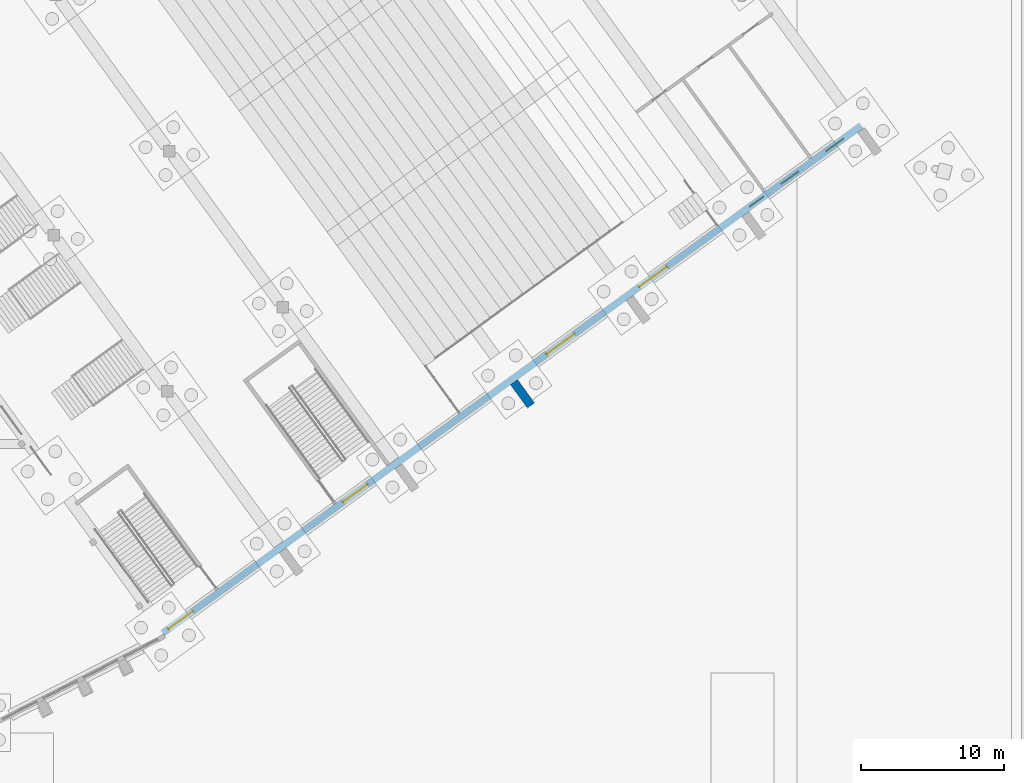
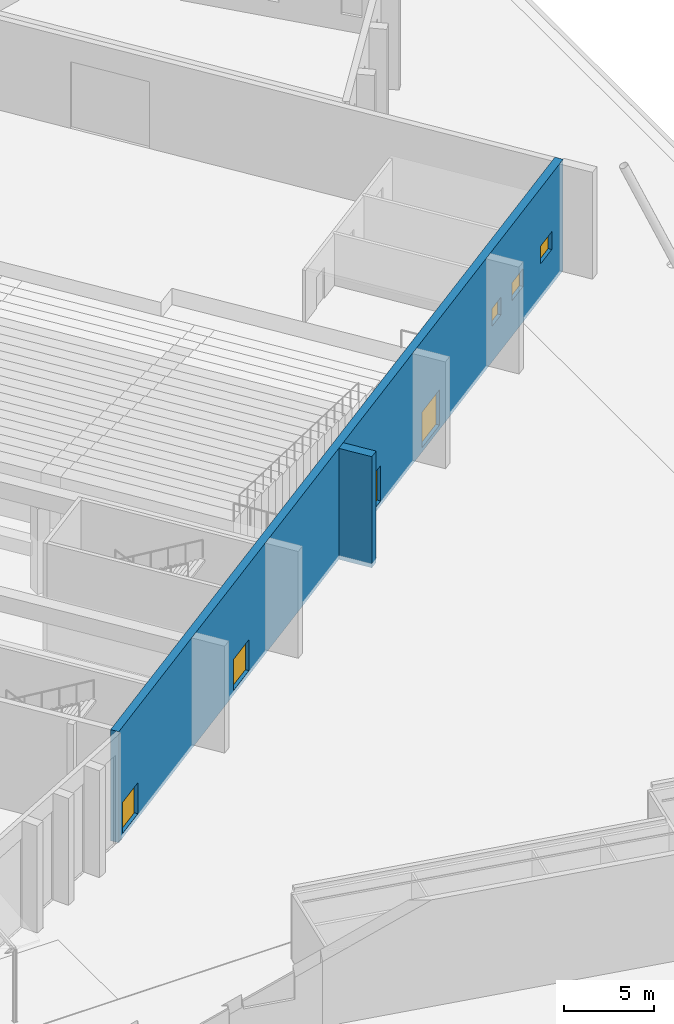
# One storey, part 185 of 239: 4 doors, 3 windows, 2 walls, 7 openings.
"""IFC4 building model written with IfcOpenShell, lengths in metres."""

from ifc_helpers import new_model, si_unit, direction, frame, frame_2d, origin, place, context, subcontext, project, spatial, rectangle, extrude, material, layer, layer_set, type_object, element, fill, save


model = new_model("IFC4")

# Units and contexts
model_context = context("Model", 3, precision=1e-05, world=origin(), true_north=direction((0.0, 1.0)))
body_context = subcontext(model_context, "Body", "Model", "MODEL_VIEW")
ifc_project = project(units=[si_unit("LENGTHUNIT", "METRE"), si_unit("AREAUNIT", "SQUARE_METRE"), si_unit("VOLUMEUNIT", "CUBIC_METRE"), si_unit("PLANEANGLEUNIT", "RADIAN"), si_unit("MASSUNIT", "GRAM", prefix="KILO")], contexts=[model_context])

# Site, building, storey
site_placement = place(None, origin())
site = spatial("IfcSite", under=ifc_project, at=site_placement, CompositionType="ELEMENT")
building_placement = place(site_placement, origin())
building = spatial("IfcBuilding", under=site, at=building_placement, Name="Okhra Congress Centre", CompositionType="ELEMENT")
storey_placement = place(building_placement, origin())
storey = spatial("IfcBuildingStorey", under=building, at=storey_placement, Name="L00", CompositionType="ELEMENT", Elevation=0.0)

# Wall
ifc_material_1 = material(Name="Concrete C35/45", Category="concrete")
ifc_layer_1 = layer(ifc_material_1, 0.60009765625)
ifc_layer_set_1 = layer_set([ifc_layer_1], Name="Buttress fin 600 R 120 C35/45")
wall_type_1 = type_object("IfcWallType", Name="Buttress fin 600 R 120 C35/45", PredefinedType="SOLIDWALL", material=ifc_layer_set_1)
wall_1_placement = place(storey_placement, frame((254.22802734375, 173.540283203125, -0.300048828125), z_axis=(0.0, 0.0, 1.0), x_axis=(0.587743397701, -0.809047401861, 0.0)))
element("IfcWall", 1, at=wall_1_placement, inside=storey, type_object=wall_type_1, Name="Buttress fin S 0 L00", PredefinedType="SOLIDWALL", context=body_context, shape_type="SweptSolid", body=[
    extrude(rectangle(XDim=2.0, YDim=0.60009765625, at=frame_2d((1.0, 0.0))), origin(), (0.0, 0.0, 1.0), 7.5),
])

# Wall, openings, doors, windows
ifc_layer_2 = layer(ifc_material_1, 0.5)
ifc_layer_set_2 = layer_set([ifc_layer_2], Name="RC wall 500 REI 120 C35/45")
wall_type_2 = type_object("IfcWallType", Name="RC wall 500 REI 120 C35/45", PredefinedType="SOLIDWALL", material=ifc_layer_set_2)
wall_2_placement = place(storey_placement, frame((229.648681640625, 155.9912109375, -0.300048828125), z_axis=(0.0, 0.0, 1.0), x_axis=(0.809016008294, 0.587786609514, 0.0)))
wall_2 = element("IfcWall", 2, at=wall_2_placement, inside=storey, type_object=wall_type_2, Name="Buttress wall S L00", PredefinedType="SOLIDWALL", context=body_context, shape_type="SweptSolid", body=[
    extrude(rectangle(XDim=60.400146484375, YDim=0.5, at=frame_2d((30.2001953125, 0.0))), origin(), (0.0, 0.0, 1.0), 7.5),
])
opening_1_placement = place(wall_2_placement, frame((41.199951171875, 0.0, 0.300048828125)))
opening_1 = element("IfcOpeningElement", 3, at=opening_1_placement, cuts=wall_2, Name="Opening L00-105", PredefinedType="OPENING", context=body_context, shape_type="SweptSolid", body=[
    extrude(rectangle(XDim=2.39990234375, YDim=2.39990234375, at=frame_2d((1.199951171875, 1.199951171875))), frame((0.0, 0.260009765625, 0.0), z_axis=(0.0, -1.0, 0.0), x_axis=(1.0, 0.0, 0.0)), (0.0, 0.0, 1.0), 0.52001953125),
])
opening_2_placement = place(wall_2_placement, frame((33.199951171875, 0.0, 0.300048828125)))
opening_2 = element("IfcOpeningElement", 4, at=opening_2_placement, cuts=wall_2, Name="Opening L00-106", PredefinedType="OPENING", context=body_context, shape_type="SweptSolid", body=[
    extrude(rectangle(XDim=2.39990234375, YDim=2.39990234375, at=frame_2d((1.199951171875, 1.199951171875))), frame((0.0, 0.260009765625, 0.0), z_axis=(0.0, -1.0, 0.0), x_axis=(1.0, 0.0, 0.0)), (0.0, 0.0, 1.0), 0.52001953125),
])
opening_3_placement = place(wall_2_placement, frame((0.5, 0.0, 0.300048828125)))
opening_3 = element("IfcOpeningElement", 5, at=opening_3_placement, cuts=wall_2, Name="Opening L00-201", PredefinedType="OPENING", context=body_context, shape_type="SweptSolid", body=[
    extrude(rectangle(XDim=2.10009765625, YDim=2.10009765625, at=frame_2d((1.050048828125, 1.050048828125))), frame((0.0, 0.260009765625, 0.0), z_axis=(0.0, -1.0, 0.0), x_axis=(1.0, 0.0, 0.0)), (0.0, 0.0, 1.0), 0.52001953125),
])
opening_4_placement = place(wall_2_placement, frame((15.60009765625, 0.0, 0.300048828125)))
opening_4 = element("IfcOpeningElement", 6, at=opening_4_placement, cuts=wall_2, Name="Opening L00-203", PredefinedType="OPENING", context=body_context, shape_type="SweptSolid", body=[
    extrude(rectangle(XDim=2.10009765625, YDim=2.10009765625, at=frame_2d((1.050048828125, 1.050048828125))), frame((0.0, 0.260009765625, 0.0), z_axis=(0.0, -1.0, 0.0), x_axis=(1.0, 0.0, 0.0)), (0.0, 0.0, 1.0), 0.52001953125),
])
opening_5_placement = place(wall_2_placement, frame((50.75, 0.0, 2.39990234375)))
opening_5 = element("IfcOpeningElement", 7, at=opening_5_placement, cuts=wall_2, Name="Opening WN35", PredefinedType="OPENING", context=body_context, shape_type="SweptSolid", body=[
    extrude(rectangle(XDim=1.199951171875, YDim=1.199951171875, at=frame_2d((0.60009765625, 0.60009765625))), frame((0.0, 0.260009765625, 0.0), z_axis=(0.0, -1.0, 0.0), x_axis=(1.0, 0.0, 0.0)), (0.0, 0.0, 1.0), 0.52001953125),
])
opening_6_placement = place(wall_2_placement, frame((53.449951171875, 0.0, 2.39990234375)))
opening_6 = element("IfcOpeningElement", 8, at=opening_6_placement, cuts=wall_2, Name="Opening WN36", PredefinedType="OPENING", context=body_context, shape_type="SweptSolid", body=[
    extrude(rectangle(XDim=1.5, YDim=1.199951171875, at=frame_2d((0.75, 0.60009765625))), frame((0.0, 0.260009765625, 0.0), z_axis=(0.0, -1.0, 0.0), x_axis=(1.0, 0.0, 0.0)), (0.0, 0.0, 1.0), 0.52001953125),
])
opening_7_placement = place(wall_2_placement, frame((57.35009765625, 0.0, 2.39990234375)))
opening_7 = element("IfcOpeningElement", 9, at=opening_7_placement, cuts=wall_2, Name="Opening WN36", PredefinedType="OPENING", context=body_context, shape_type="SweptSolid", body=[
    extrude(rectangle(XDim=1.5, YDim=1.199951171875, at=frame_2d((0.75, 0.60009765625))), frame((0.0, 0.260009765625, 0.0), z_axis=(0.0, -1.0, 0.0), x_axis=(1.0, 0.0, 0.0)), (0.0, 0.0, 1.0), 0.52001953125),
])
ifc_material_2 = material(Name="Timber door leaves in steel frame", Category="steel")
door_type_1 = type_object("IfcDoorType", Name="Double swing door 2100x2100", OperationType="NOTDEFINED", PredefinedType="DOOR", material=ifc_material_2)
door_1_placement = place(opening_3_placement, frame((2.10009765625, 0.0, 0.0), z_axis=(0.0, 0.0, 1.0), x_axis=(-1.0, 0.0, 0.0)))
door_1 = element("IfcDoor", 10, at=door_1_placement, inside=storey, type_object=door_type_1, Name="Door L00-201", OperationType="DOUBLE_DOOR_SINGLE_SWING", OverallHeight=2.10009765625, OverallWidth=2.10009765625, PredefinedType="DOOR", context=body_context, shape_type="SweptSolid", body=[
    extrude(rectangle(XDim=2.10009765625, YDim=2.10009765625, at=frame_2d((1.050048828125, 1.050048828125))), frame((0.0, 0.02490234375, 0.0), z_axis=(0.0, -1.0, 0.0), x_axis=(1.0, 0.0, 0.0)), (0.0, 0.0, 1.0), 0.050048828125),
])
fill(opening_3, door_1)
door_2_placement = place(opening_4_placement, frame((2.10009765625, 0.0, 0.0), z_axis=(0.0, 0.0, 1.0), x_axis=(-1.0, 0.0, 0.0)))
door_2 = element("IfcDoor", 11, at=door_2_placement, inside=storey, type_object=door_type_1, Name="Door L00-203", OperationType="DOUBLE_DOOR_SINGLE_SWING", OverallHeight=2.10009765625, OverallWidth=2.10009765625, PredefinedType="DOOR", context=body_context, shape_type="SweptSolid", body=[
    extrude(rectangle(XDim=2.10009765625, YDim=2.10009765625, at=frame_2d((1.050048828125, 1.050048828125))), frame((0.0, 0.02490234375, 0.0), z_axis=(0.0, -1.0, 0.0), x_axis=(1.0, 0.0, 0.0)), (0.0, 0.0, 1.0), 0.050048828125),
])
fill(opening_4, door_2)
door_type_2 = type_object("IfcDoorType", Name="Double swing door 2400x2400", OperationType="NOTDEFINED", PredefinedType="DOOR", material=ifc_material_2)
door_3_placement = place(opening_1_placement, frame((2.39990234375, 0.0, 0.0), z_axis=(0.0, 0.0, 1.0), x_axis=(-1.0, 0.0, 0.0)))
door_3 = element("IfcDoor", 12, at=door_3_placement, inside=storey, type_object=door_type_2, Name="Door L00-105", OperationType="DOUBLE_DOOR_SINGLE_SWING", OverallHeight=2.39990234375, OverallWidth=2.39990234375, PredefinedType="DOOR", context=body_context, shape_type="SweptSolid", body=[
    extrude(rectangle(XDim=2.39990234375, YDim=2.39990234375, at=frame_2d((1.199951171875, 1.199951171875))), frame((0.0, 0.02490234375, 0.0), z_axis=(0.0, -1.0, 0.0), x_axis=(1.0, 0.0, 0.0)), (0.0, 0.0, 1.0), 0.050048828125),
])
fill(opening_1, door_3)
door_4_placement = place(opening_2_placement, frame((2.39990234375, 0.0, 0.0), z_axis=(0.0, 0.0, 1.0), x_axis=(-1.0, 0.0, 0.0)))
door_4 = element("IfcDoor", 13, at=door_4_placement, inside=storey, type_object=door_type_2, Name="Door L00-106", OperationType="DOUBLE_DOOR_SINGLE_SWING", OverallHeight=2.39990234375, OverallWidth=2.39990234375, PredefinedType="DOOR", context=body_context, shape_type="SweptSolid", body=[
    extrude(rectangle(XDim=2.39990234375, YDim=2.39990234375, at=frame_2d((1.199951171875, 1.199951171875))), frame((0.0, 0.02490234375, 0.0), z_axis=(0.0, -1.0, 0.0), x_axis=(1.0, 0.0, 0.0)), (0.0, 0.0, 1.0), 0.050048828125),
])
fill(opening_2, door_4)
ifc_material_3 = material(Name="Thermally broken aluminium frame, triple glazing", Category="aluminium")
window_type_1 = type_object("IfcWindowType", Name="Fixed window 1200x1200", PartitioningType="SINGLE_PANEL", PredefinedType="WINDOW", material=ifc_material_3)
window_1_placement = place(opening_5_placement, origin())
window_1 = element("IfcWindow", 14, at=window_1_placement, inside=storey, type_object=window_type_1, Name="PH.WIN.L00.5", OverallHeight=1.199951171875, OverallWidth=1.199951171875, PartitioningType="SINGLE_PANEL", PredefinedType="WINDOW", context=body_context, shape_type="SweptSolid", body=[
    extrude(rectangle(XDim=1.199951171875, YDim=1.199951171875, at=frame_2d((0.60009765625, 0.60009765625))), frame((0.0, 0.030029296875, 0.0), z_axis=(0.0, -1.0, 0.0), x_axis=(1.0, 0.0, 0.0)), (0.0, 0.0, 1.0), 0.06005859375),
])
fill(opening_5, window_1)
window_type_2 = type_object("IfcWindowType", Name="Fixed window 1500x1200", PartitioningType="SINGLE_PANEL", PredefinedType="WINDOW", material=ifc_material_3)
window_2_placement = place(opening_6_placement, origin())
window_2 = element("IfcWindow", 15, at=window_2_placement, inside=storey, type_object=window_type_2, Name="PH.WIN.L00.6", OverallHeight=1.199951171875, OverallWidth=1.5, PartitioningType="SINGLE_PANEL", PredefinedType="WINDOW", context=body_context, shape_type="SweptSolid", body=[
    extrude(rectangle(XDim=1.5, YDim=1.199951171875, at=frame_2d((0.75, 0.60009765625))), frame((0.0, 0.030029296875, 0.0), z_axis=(0.0, -1.0, 0.0), x_axis=(1.0, 0.0, 0.0)), (0.0, 0.0, 1.0), 0.06005859375),
])
fill(opening_6, window_2)
window_3_placement = place(opening_7_placement, origin())
window_3 = element("IfcWindow", 16, at=window_3_placement, inside=storey, type_object=window_type_2, Name="PH.WIN.L00.7", OverallHeight=1.199951171875, OverallWidth=1.5, PartitioningType="SINGLE_PANEL", PredefinedType="WINDOW", context=body_context, shape_type="SweptSolid", body=[
    extrude(rectangle(XDim=1.5, YDim=1.199951171875, at=frame_2d((0.75, 0.60009765625))), frame((0.0, 0.030029296875, 0.0), z_axis=(0.0, -1.0, 0.0), x_axis=(1.0, 0.0, 0.0)), (0.0, 0.0, 1.0), 0.06005859375),
])
fill(opening_7, window_3)

save(model, "model.ifc")
